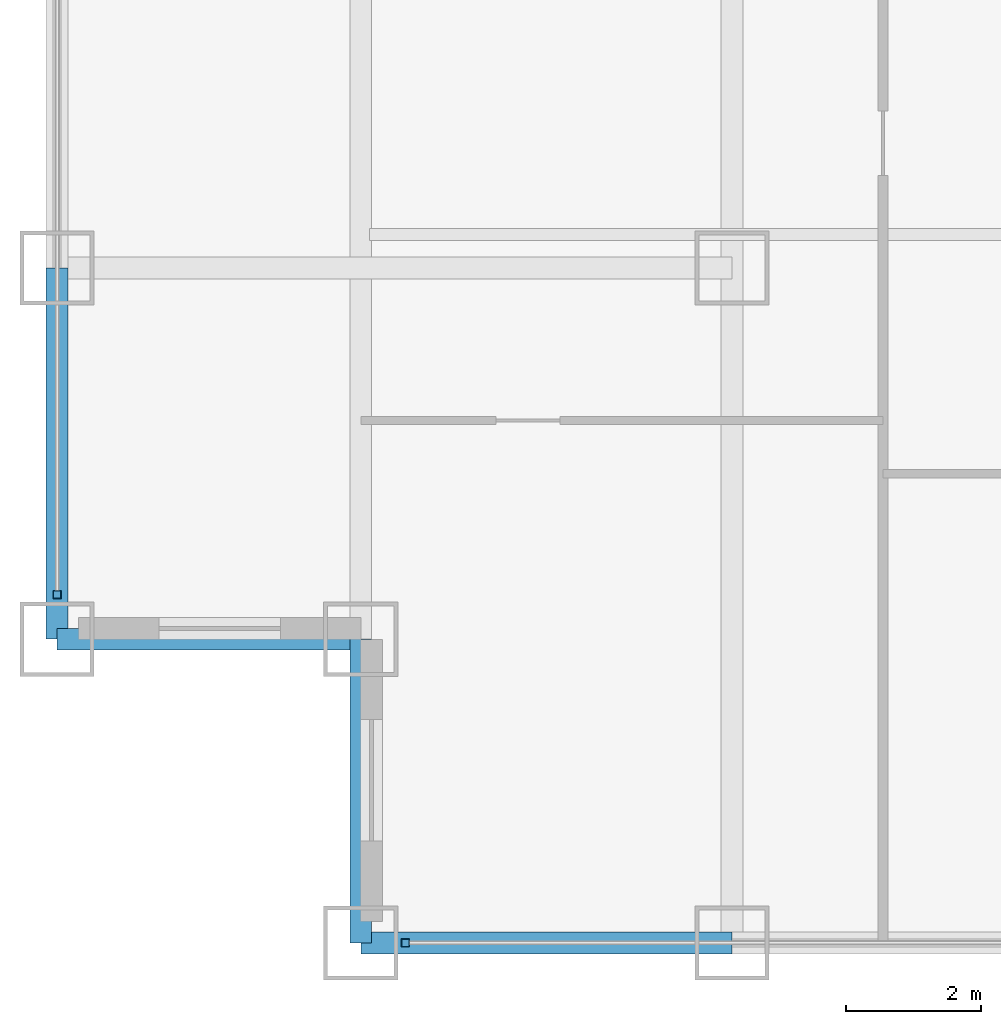
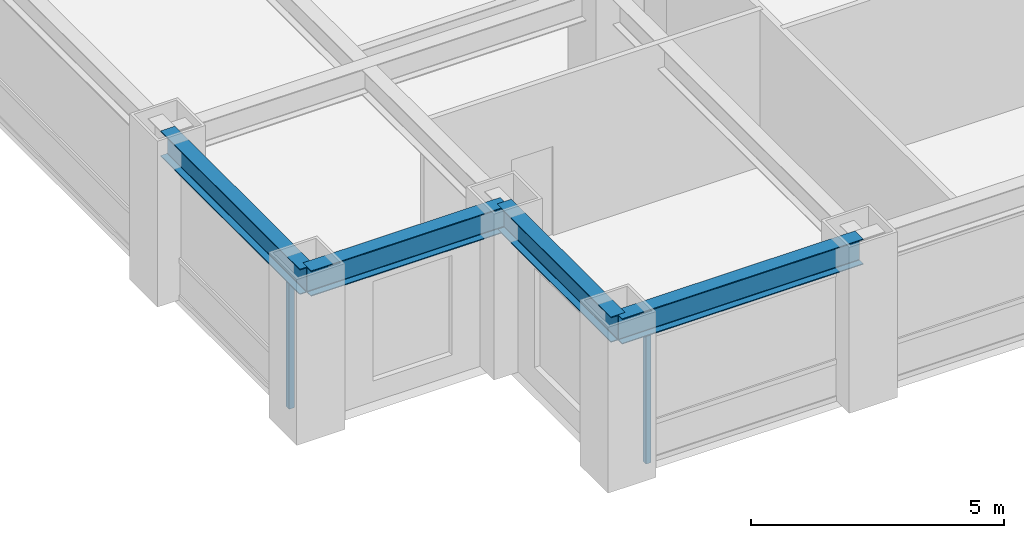
# One storey, part 2 of 24: 4 beams, 2 members, 2 elements without a shape of their own.
"""IFC4 building model written with IfcOpenShell, lengths in metres."""

import ifcopenshell
import ifcopenshell.guid

model = None  # the IFC model being written
_history = None  # IfcOwnerHistory: only IFC2X3 demands one
_inside = {}  # id of a spatial element -> (the spatial element, [elements in it])
_under = {}  # id of a project, library or spatial element -> (it, [spatial elements below it])
_declared = {}  # id of a project -> (the project, [libraries it declares])
_typed = {}  # id of a type object -> (the type object, [elements of that type])
_made_of = {}  # id of a material, layer set ... -> (it, [elements and type objects made of it])


def new_model(schema):
    """Start an empty IFC model of exactly this schema.

    Asked for "IFC4X3", IfcOpenShell would pick the latest addendum, in which some entities
    have other attributes; the version numbers below select the first issue.
    IFC2X3 requires an IfcOwnerHistory on every rooted entity: one is made here for all.
    """
    global model, _history
    if schema == "IFC4X3":
        model = ifcopenshell.file(schema_version=(4, 3, 0, 0))
    else:
        model = ifcopenshell.file(schema=schema)
    _inside.clear()
    _under.clear()
    _declared.clear()
    _typed.clear()
    _made_of.clear()
    _history = None
    if model.schema == "IFC2X3":
        org = make("IfcOrganization", Name="unknown")
        user = make(
            "IfcPersonAndOrganization",
            ThePerson=make("IfcPerson", FamilyName="unknown"),
            TheOrganization=org,
        )
        app = make(
            "IfcApplication",
            ApplicationDeveloper=org,
            Version="unknown",
            ApplicationFullName="unknown",
            ApplicationIdentifier="unknown",
        )
        _history = make(
            "IfcOwnerHistory",
            OwningUser=user,
            OwningApplication=app,
            ChangeAction="ADDED",
            CreationDate=0,
        )
    return model


def make(cls, **values):
    """One entity of the class cls with the attributes given. An attribute that is None is left unset."""
    return model.create_entity(
        cls, **{name: value for name, value in values.items() if value is not None}
    )


def rooted(cls, **values):
    """An entity with a GlobalId (a new one), such as an element, a storey or a relation."""
    return make(cls, GlobalId=ifcopenshell.guid.new(), OwnerHistory=_history, **values)


def si_unit(unit_type, name, prefix=None):
    """IfcSIUnit, for example si_unit("LENGTHUNIT", "METRE", prefix="MILLI")."""
    return make("IfcSIUnit", UnitType=unit_type, Prefix=prefix, Name=name)


def assignment(units):
    """IfcUnitAssignment: the units of a project."""
    return None if units is None else make("IfcUnitAssignment", Units=units)


def point(xyz):
    """IfcCartesianPoint."""
    return None if xyz is None else make("IfcCartesianPoint", Coordinates=xyz)


def direction(xyz):
    """IfcDirection."""
    return None if xyz is None else make("IfcDirection", DirectionRatios=xyz)


def frame(location, z_axis=None, x_axis=None):
    """IfcAxis2Placement3D, a coordinate frame: its origin and axes. An axis left out is left unset."""
    return make(
        "IfcAxis2Placement3D",
        Location=point(location),
        Axis=direction(z_axis),
        RefDirection=direction(x_axis),
    )


def frame_2d(location, x_axis=None):
    """IfcAxis2Placement2D, a coordinate frame in the plane: its origin and x axis."""
    return make(
        "IfcAxis2Placement2D", Location=point(location), RefDirection=direction(x_axis)
    )


def origin():
    """The frame at (0, 0, 0) with its axes left unset."""
    return frame((0.0, 0.0, 0.0))


def origin_2d():
    """The frame at (0, 0) in the plane with its x axis left unset."""
    return frame_2d((0.0, 0.0))


def place(relative_to, where):
    """IfcLocalPlacement: puts the frame where relative to a parent placement (None: the world)."""
    return make(
        "IfcLocalPlacement", PlacementRelTo=relative_to, RelativePlacement=where
    )


def context(
    kind, dimensions, precision=None, world=None, true_north=None, identifier=None
):
    """IfcGeometricRepresentationContext, for example the 3D "Model" context."""
    return make(
        "IfcGeometricRepresentationContext",
        ContextIdentifier=identifier,
        ContextType=kind,
        CoordinateSpaceDimension=dimensions,
        Precision=precision,
        WorldCoordinateSystem=world,
        TrueNorth=true_north,
    )


def subcontext(parent, identifier, kind, view, scale=None):
    """IfcGeometricRepresentationSubContext, for example "Body" below "Model"."""
    return make(
        "IfcGeometricRepresentationSubContext",
        ContextIdentifier=identifier,
        ContextType=kind,
        ParentContext=parent,
        TargetScale=scale,
        TargetView=view,
    )


def project(units=None, contexts=None):
    """IfcProject with its units and contexts."""
    return rooted(
        "IfcProject",
        Name="project",
        RepresentationContexts=contexts,
        UnitsInContext=assignment(units),
    )


def spatial(cls, under=None, at=None, **own):
    """A site, building, storey or space (cls), placed at a placement, below another one or the project."""
    s = rooted(cls, ObjectPlacement=at, **own)
    if under is not None:
        _under.setdefault(under.id(), (under, []))[1].append(s)
    return s


def profile(cls, at=None, kind="AREA", **sizes):
    """A parametric profile (cls). Its sizes go by their IFC names, for example OverallWidth=200.0."""
    return make(cls, ProfileType=kind, Position=at, **sizes)


def hollow_rectangle(**sizes):
    """IfcRectangleHollowProfileDef."""
    return profile("IfcRectangleHollowProfileDef", **sizes)


def i_section(**sizes):
    """IfcIShapeProfileDef."""
    return profile("IfcIShapeProfileDef", **sizes)


def extrude(swept, where, along, depth):
    """IfcExtrudedAreaSolid: the profile swept, set in the frame where, extruded along a direction by depth."""
    return make(
        "IfcExtrudedAreaSolid",
        SweptArea=swept,
        Position=where,
        ExtrudedDirection=direction(along),
        Depth=depth,
    )


def shape(context_of_items, identifier, shape_type, items):
    """IfcShapeRepresentation: the items that make up one representation, for example the "Body"."""
    return make(
        "IfcShapeRepresentation",
        ContextOfItems=context_of_items,
        RepresentationIdentifier=identifier,
        RepresentationType=shape_type,
        Items=items,
    )


def source(mapping_origin, context_of_items, identifier, shape_type, items):
    """IfcRepresentationMap: a shape defined once, which mapped items show again and again."""
    return make(
        "IfcRepresentationMap",
        MappingOrigin=mapping_origin,
        MappedRepresentation=shape(context_of_items, identifier, shape_type, items),
    )


def transform(
    local_origin,
    x_axis=None,
    y_axis=None,
    z_axis=None,
    scale=None,
    scale2=None,
    scale3=None,
    uniform=True,
):
    """IfcCartesianTransformationOperator3D, or its non-uniform kind. x_axis, y_axis, z_axis: its Axis1, 2, 3."""
    if uniform:
        return make(
            "IfcCartesianTransformationOperator3D",
            Axis1=direction(x_axis),
            Axis2=direction(y_axis),
            LocalOrigin=point(local_origin),
            Scale=scale,
            Axis3=direction(z_axis),
        )
    return make(
        "IfcCartesianTransformationOperator3DnonUniform",
        Axis1=direction(x_axis),
        Axis2=direction(y_axis),
        LocalOrigin=point(local_origin),
        Scale=scale,
        Axis3=direction(z_axis),
        Scale2=scale2,
        Scale3=scale3,
    )


def mapped(mapping_source, mapping_target):
    """IfcMappedItem: shows the shape of a source again, moved by a transform."""
    return make(
        "IfcMappedItem", MappingSource=mapping_source, MappingTarget=mapping_target
    )


def material(Name=None, Category=None):
    """IfcMaterial."""
    return make("IfcMaterial", Name=Name, Category=Category)


def material_profile(
    of_material, cross_section, Name=None, Category=None, Priority=None
):
    """IfcMaterialProfile: a cross section and its material."""
    return make(
        "IfcMaterialProfile",
        Name=Name,
        Material=of_material,
        Profile=cross_section,
        Priority=Priority,
        Category=Category,
    )


def profile_set(profiles, Name=None, composite=None):
    """IfcMaterialProfileSet."""
    return make(
        "IfcMaterialProfileSet",
        Name=Name,
        MaterialProfiles=profiles,
        CompositeProfile=composite,
    )


def made_of(thing, what):
    """Note that an element or type object is made of a material, layer set ...; save() writes the relation."""
    if what is not None:
        _made_of.setdefault(what.id(), (what, []))[1].append(thing)
    return thing


def type_object(cls, material=None, **own):
    """A type object (cls), such as IfcWallType, which elements share."""
    return made_of(rooted(cls, **own), material)


def element(
    cls,
    number,
    at=None,
    inside=None,
    cuts=None,
    type_object=None,
    material=None,
    context=None,
    identifier="Body",
    shape_type=None,
    held_by="IfcProductDefinitionShape",
    body=None,
    shapes=None,
    **own,
):
    """One element of the class cls, such as IfcWall. Its Tag is "e" and its number.

    at: its placement. inside: the storey or other place that contains it. cuts: it is an
    opening in that element (IfcRelVoidsElement). A single representation is given by context,
    identifier, shape_type and body (its items); several are given by shapes. held_by: the class
    of the entity that holds the representations. save() writes the other relations.
    """
    e = rooted(cls, Tag="e%d" % number, ObjectPlacement=at, **own)
    if body is not None:
        shapes = [shape(context, identifier, shape_type, body)]
    if shapes is not None:
        e.Representation = make(held_by, Representations=shapes)
    if inside is not None:
        _inside.setdefault(inside.id(), (inside, []))[1].append(e)
    if cuts is not None:
        rooted(
            "IfcRelVoidsElement", RelatingBuildingElement=cuts, RelatedOpeningElement=e
        )
    if type_object is not None:
        _typed.setdefault(type_object.id(), (type_object, []))[1].append(e)
    return made_of(e, material)


def aggregate(whole, parts):
    """IfcRelAggregates: a whole, such as a stair, and the parts it consists of."""
    return rooted("IfcRelAggregates", RelatingObject=whole, RelatedObjects=parts)


def save(model, path):
    """Write the relations noted so far, then the file.

    IfcRelAggregates (storeys below a building ...), IfcRelContainedInSpatialStructure (elements
    in a storey), IfcRelDefinesByType, IfcRelAssociatesMaterial and IfcRelDeclares: one each for
    every whole, place, type object, material and project.
    """
    for whole, parts in _under.values():
        aggregate(whole, parts)
    for where, things in _inside.values():
        rooted(
            "IfcRelContainedInSpatialStructure",
            RelatedElements=things,
            RelatingStructure=where,
        )
    for kind, things in _typed.values():
        rooted("IfcRelDefinesByType", RelatedObjects=things, RelatingType=kind)
    for what, things in _made_of.values():
        rooted("IfcRelAssociatesMaterial", RelatedObjects=things, RelatingMaterial=what)
    for by, libraries in _declared.values():
        rooted("IfcRelDeclares", RelatingContext=by, RelatedDefinitions=libraries)
    model.write(path)


model = new_model("IFC4")

# Units and contexts
model_context = context("Model", 3, precision=1e-05, world=origin(), true_north=direction((0.0, 1.0)))
body_context = subcontext(model_context, "Body", "Model", "MODEL_VIEW")
ifc_project = project(units=[si_unit("LENGTHUNIT", "METRE"), si_unit("AREAUNIT", "SQUARE_METRE"), si_unit("VOLUMEUNIT", "CUBIC_METRE"), si_unit("PLANEANGLEUNIT", "RADIAN"), si_unit("MASSUNIT", "GRAM", prefix="KILO")], contexts=[model_context])

# Site, building, storey
site_placement = place(None, origin())
site = spatial("IfcSite", under=ifc_project, at=site_placement, CompositionType="ELEMENT")
building_placement = place(site_placement, origin())
building = spatial("IfcBuilding", under=site, at=building_placement, Name="Khorayat Bourse Tower", CompositionType="ELEMENT")
storey_placement = place(building_placement, frame((0.0, 0.0, 175.10009765625)))
storey = spatial("IfcBuildingStorey", under=building, at=storey_placement, Name="L40", CompositionType="ELEMENT", Elevation=175.10009765625)

# Beams
ifc_material_1 = material(Name="Steel ASTM A992 Grade 50", Category="steel")
ifc_material_profile_1 = material_profile(ifc_material_1, i_section(OverallWidth=0.324951171875, OverallDepth=0.615966796875, WebThickness=0.013916015625, FlangeThickness=0.021484375, FilletRadius=0.01611328125, at=origin_2d()), Name="W610X174")
ifc_profile_set_1 = profile_set([ifc_material_profile_1], Name="Steel ASTM A992 Grade 50")
beam_type = type_object("IfcBeamType", Name="BM-SPAN-610", PredefinedType="SPANDREL", material=ifc_profile_set_1)
shared_shape_1 = source(origin(), body_context, "Body", "SweptSolid", [
    extrude(i_section(OverallWidth=0.324951171875, OverallDepth=0.615966796875, WebThickness=0.013916015625, FlangeThickness=0.021484375, FilletRadius=0.01611328125, at=origin_2d()), origin(), (0.0, 0.0, 1.0), 5.5),
])
for number, where, z_axis, x_axis, name in (
    (1, (-25.5, -30.0, 3.471923828125), (1.0, 0.0, 0.0), (0.0, 1.0, 0.0), "L40 BM-SPAN-610 BM-L40-SPN-024"),
    (2, (-30.0, -25.5, 3.471923828125), (0.0, 1.0, 0.0), (-1.0, 0.0, 0.0), "L40 BM-SPAN-610 BM-L40-SPN-061"),
):
    element("IfcBeam", number, at=place(storey_placement, frame(where, z_axis=z_axis, x_axis=x_axis)), inside=storey, type_object=beam_type, Name=name, PredefinedType="SPANDREL", context=body_context, shape_type="MappedRepresentation", body=[
        mapped(shared_shape_1, transform((0.0, 0.0, 0.0), scale=1.0)),
    ])
shared_shape_2 = source(origin(), body_context, "Body", "SweptSolid", [
    extrude(i_section(OverallWidth=0.324951171875, OverallDepth=0.615966796875, WebThickness=0.013916015625, FlangeThickness=0.021484375, FilletRadius=0.01611328125, at=origin_2d()), origin(), (0.0, 0.0, 1.0), 4.5),
])
for number, where, z_axis, x_axis, name in (
    (3, (-30.0, -25.5, 3.471923828125), (1.0, 0.0, 0.0), (0.0, 1.0, 0.0), "L40 BM-SPAN-610 BM-L40-SPN-062"),
    (4, (-25.5, -30.0, 3.471923828125), (0.0, 1.0, 0.0), (-1.0, 0.0, 0.0), "L40 BM-SPAN-610 BM-L40-SPN-063"),
):
    element("IfcBeam", number, at=place(storey_placement, frame(where, z_axis=z_axis, x_axis=x_axis)), inside=storey, type_object=beam_type, Name=name, PredefinedType="SPANDREL", context=body_context, shape_type="MappedRepresentation", body=[
        mapped(shared_shape_2, transform((0.0, 0.0, 0.0), scale=1.0)),
    ])

# Curtain wall, member
ifc_material_2 = material(Name="Aluminium EN AW-6063 T6", Category="aluminium")
curtain_wall_type = type_object("IfcCurtainWallType", Name="CW-SYS-03", PredefinedType="NOTDEFINED", material=ifc_material_2)
curtain_wall_1_placement = place(storey_placement, origin())
curtain_wall_1 = element("IfcCurtainWall", 5, at=curtain_wall_1_placement, inside=storey, type_object=curtain_wall_type, Name="L40 Curtain Wall CW-L40-S1", PredefinedType="NOTDEFINED")
ifc_material_profile_2 = material_profile(ifc_material_2, hollow_rectangle(XDim=0.1201171875, YDim=0.1201171875, WallThickness=0.0048828125, at=origin_2d()), Name="ALU 120x120x5")
ifc_profile_set_2 = profile_set([ifc_material_profile_2], Name="Aluminium EN AW-6063 T6")
member_type = type_object("IfcMemberType", Name="CWM-VERT-120", PredefinedType="MULLION", material=ifc_profile_set_2)
shared_shape_3 = source(origin(), body_context, "Body", "SweptSolid", [
    extrude(hollow_rectangle(XDim=0.1201171875, YDim=0.1201171875, WallThickness=0.0048828125, at=origin_2d()), origin(), (0.0, 0.0, 1.0), 3.1298828125),
])
member_1_placement = place(storey_placement, frame((-24.840087890625, -30.0, 0.0), z_axis=(0.0, 0.0, 1.0), x_axis=(0.0, 1.0, 0.0)))
member_1 = element("IfcMember", 6, at=member_1_placement, type_object=member_type, Name="CW-L40-S1 Vertical Mullion 1", PredefinedType="MULLION", context=body_context, shape_type="MappedRepresentation", body=[
    mapped(shared_shape_3, transform((0.0, 0.0, 0.0), scale=1.0)),
])
aggregate(curtain_wall_1, [member_1])

curtain_wall_2_placement = place(storey_placement, origin())
curtain_wall_2 = element("IfcCurtainWall", 7, at=curtain_wall_2_placement, inside=storey, type_object=curtain_wall_type, Name="L40 Curtain Wall CW-L40-W1", PredefinedType="NOTDEFINED")
member_2_placement = place(storey_placement, frame((-30.0, -24.840087890625, 0.0), z_axis=(0.0, 0.0, 1.0), x_axis=(-1.0, 0.0, 0.0)))
member_2 = element("IfcMember", 8, at=member_2_placement, type_object=member_type, Name="CW-L40-W1 Vertical Mullion 1", PredefinedType="MULLION", context=body_context, shape_type="MappedRepresentation", body=[
    mapped(shared_shape_3, transform((0.0, 0.0, 0.0), scale=1.0)),
])
aggregate(curtain_wall_2, [member_2])

save(model, "model.ifc")
